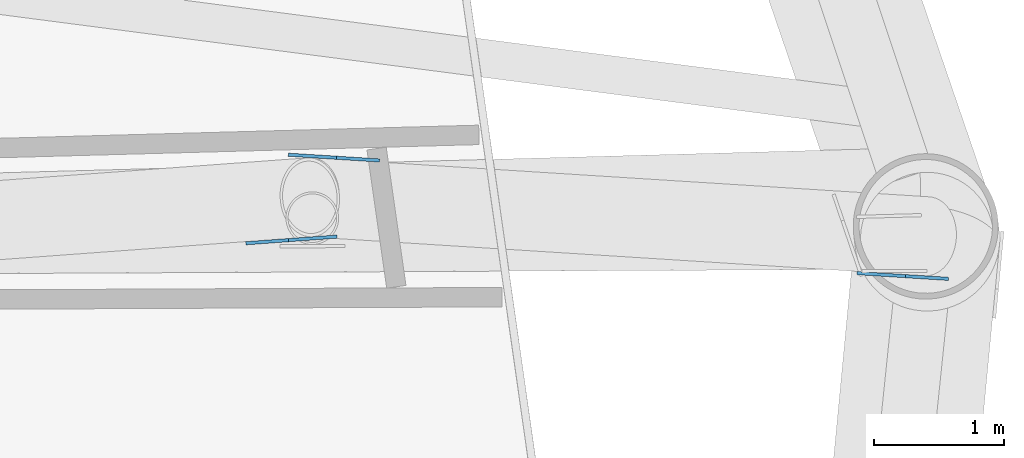
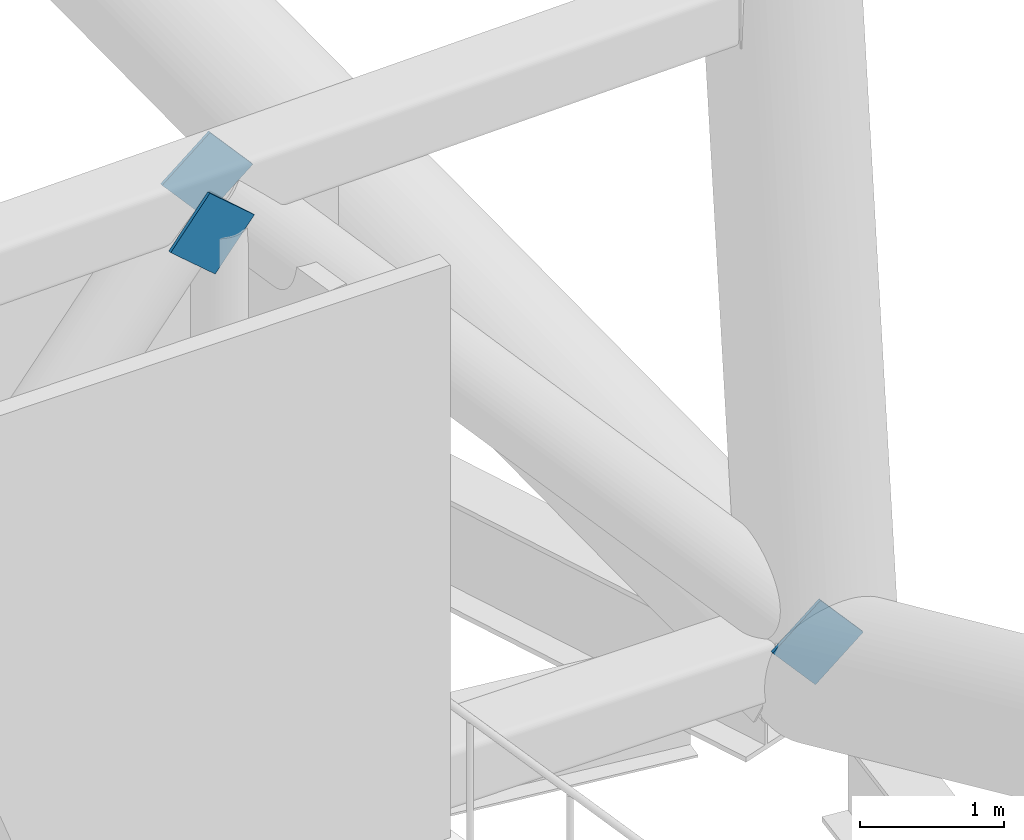
# One storey, part 17 of 36: 3 discrete accessories.
"""IFC4 building model written with IfcOpenShell, lengths in metres."""

from ifc_helpers import new_model, si_unit, direction, frame, origin, origin_2d, place, context, subcontext, project, spatial, rectangle, extrude, material, material_profile, profile_set, type_object, element, save


model = new_model("IFC4")

# Units and contexts
model_context = context("Model", 3, precision=1e-05, world=origin(), true_north=direction((0.0, 1.0)))
body_context = subcontext(model_context, "Body", "Model", "MODEL_VIEW")
ifc_project = project(units=[si_unit("LENGTHUNIT", "METRE"), si_unit("AREAUNIT", "SQUARE_METRE"), si_unit("VOLUMEUNIT", "CUBIC_METRE"), si_unit("PLANEANGLEUNIT", "RADIAN"), si_unit("MASSUNIT", "GRAM", prefix="KILO")], contexts=[model_context])

# Site, building, storey
site_placement = place(None, origin())
site = spatial("IfcSite", under=ifc_project, at=site_placement, CompositionType="ELEMENT")
building_placement = place(site_placement, origin())
building = spatial("IfcBuilding", under=site, at=building_placement, Name="Tarsis Ring Headquarters", CompositionType="ELEMENT")
storey_placement = place(building_placement, frame((0.0, 0.0, 194.39990234375)))
storey = spatial("IfcBuildingStorey", under=building, at=storey_placement, Name="L45", CompositionType="ELEMENT", Elevation=194.39990234375)

# Discrete accessories
ifc_material = material(Name="Structural steel S355", Category="steel")
ifc_material_profile = material_profile(ifc_material, rectangle(XDim=0.02490234375, YDim=0.5, at=origin_2d()), Name="PL 25x500")
ifc_profile_set = profile_set([ifc_material_profile], Name="Structural steel S355")
discrete_accessory_type = type_object("IfcDiscreteAccessoryType", Name="Gusset plate Outrigger 25", PredefinedType="BRACKET", material=ifc_profile_set)
for number, where, z_axis, x_axis, name in (
    (1, (24.139892578125, 3.170654296875, 5.586181640625), (-0.658633150555, -0.048335568499, -0.750910144962), (0.073190865264, -0.99731795193, 0.0), "Gusset plate GP1"),
    (2, (24.13671875, 3.8037109375, 5.586181640625), (0.665049765401, -0.041992863307, -0.745617468258), (0.063016939315, 0.998012457517, 0.0), "Gusset plate GP1"),
    (3, (28.85302734375, 2.8701171875, 0.254150390625), (-0.665049765401, 0.041992863307, 0.745617468258), (-0.063016939315, -0.998012457517, 0.0), "Gusset plate GP1"),
):
    element("IfcDiscreteAccessory", number, at=place(storey_placement, frame(where, z_axis=z_axis, x_axis=x_axis)), inside=storey, type_object=discrete_accessory_type, Name=name, PredefinedType="BRACKET", context=body_context, shape_type="SweptSolid", body=[
        extrude(rectangle(XDim=0.02490234375, YDim=0.5, at=origin_2d()), origin(), (0.0, 0.0, 1.0), 0.5),
    ])

save(model, "model.ifc")
